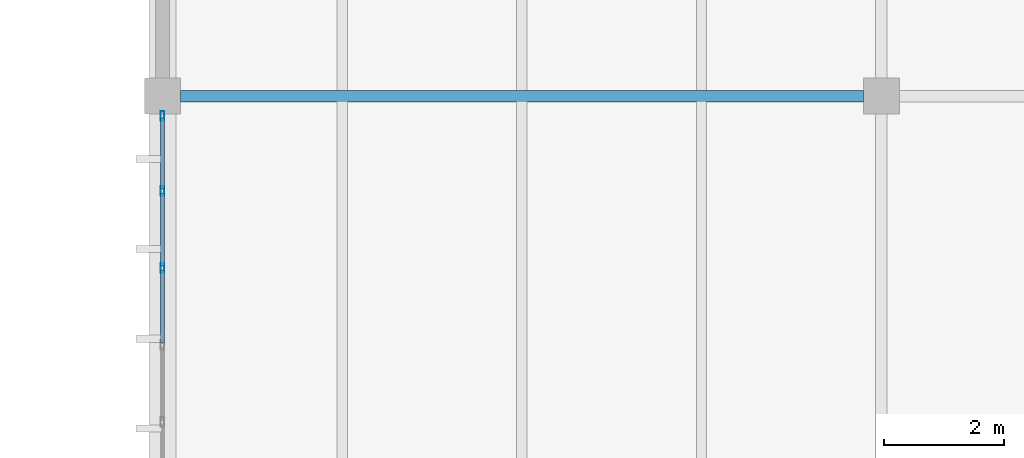
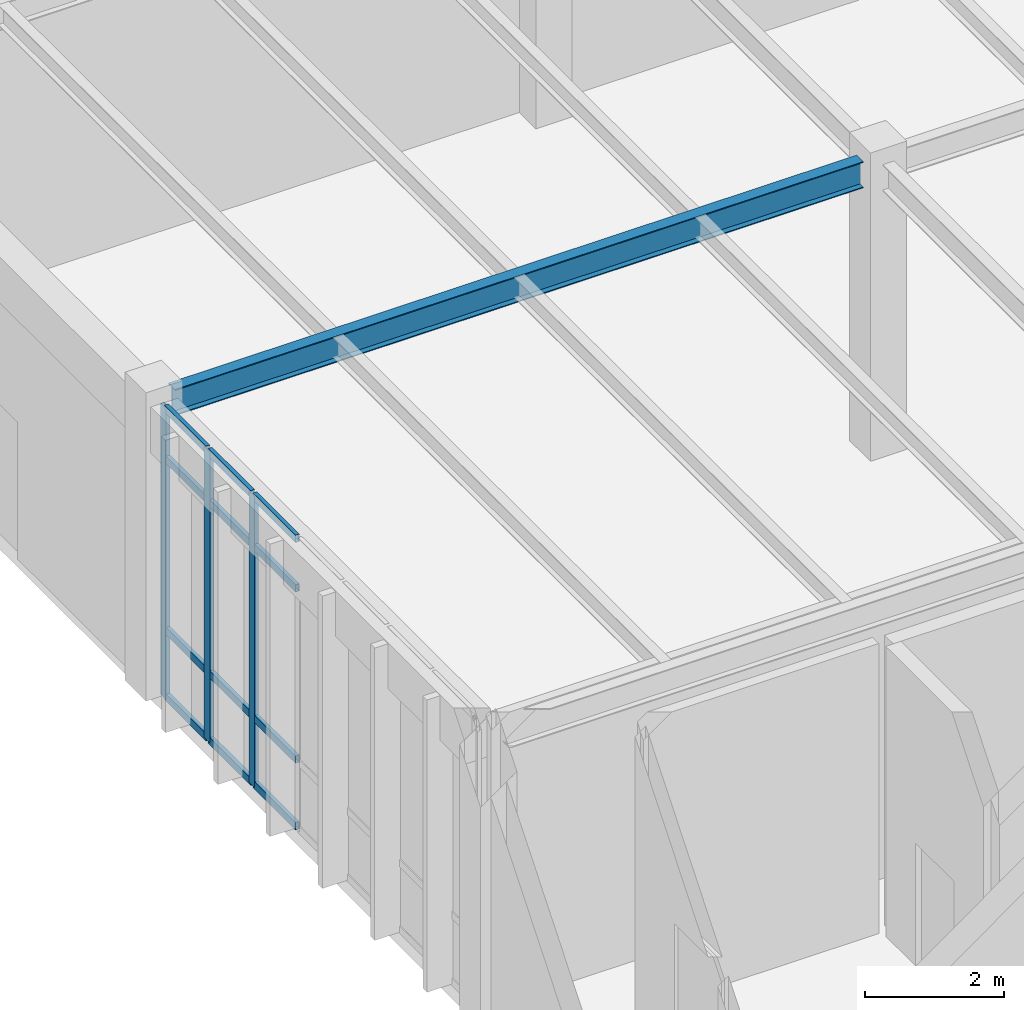
# One storey, part 111 of 188: 15 members, 1 beam, 1 element without a shape of its own.
"""IFC4 building model written with IfcOpenShell, lengths in metres."""

from ifc_helpers import new_model, si_unit, direction, frame, origin, origin_2d, place, context, subcontext, project, spatial, hollow_rectangle, i_section, extrude, material, layer, layer_set, material_profile, profile_set, type_object, element, aggregate, save


model = new_model("IFC4")

# Units and contexts
model_context = context("Model", 3, precision=1e-05, world=origin(), true_north=direction((0.0, 1.0)))
body_context = subcontext(model_context, "Body", "Model", "MODEL_VIEW")
ifc_project = project(units=[si_unit("LENGTHUNIT", "METRE"), si_unit("AREAUNIT", "SQUARE_METRE"), si_unit("VOLUMEUNIT", "CUBIC_METRE"), si_unit("PLANEANGLEUNIT", "RADIAN"), si_unit("MASSUNIT", "GRAM", prefix="KILO")], contexts=[model_context])

# Site, building, storey
site_placement = place(None, origin())
site = spatial("IfcSite", under=ifc_project, at=site_placement, CompositionType="ELEMENT")
building_placement = place(site_placement, origin())
building = spatial("IfcBuilding", under=site, at=building_placement, Name="Pandanus Reach Market Hall", CompositionType="ELEMENT")
storey_placement = place(building_placement, origin())
storey = spatial("IfcBuildingStorey", under=building, at=storey_placement, Name="L00", CompositionType="ELEMENT", Elevation=0.0)

# Beam
ifc_material_1 = material(Name="Steel Grade 350 (350 MPa)", Category="steel")
ifc_material_profile_1 = material_profile(ifc_material_1, i_section(OverallWidth=0.19091796875, OverallDepth=0.4599609375, WebThickness=0.010009765625, FlangeThickness=0.01611328125, at=origin_2d()), Name="460UB82.1", Category="LoadBearing")
ifc_profile_set_1 = profile_set([ifc_material_profile_1], Name="Steel Grade 350 (350 MPa)")
beam_type = type_object("IfcBeamType", Name="BM-UB460H-I", PredefinedType="BEAM", material=ifc_profile_set_1)
beam_placement = place(storey_placement, frame((144.298095703125, 67.199951171875, 4.89453125), z_axis=(1.0, 0.0, 0.0), x_axis=(0.0, 1.0, 0.0)))
element("IfcBeam", 1, at=beam_placement, inside=storey, type_object=beam_type, Name="Framing beam BM-UB460H-I L00.176", PredefinedType="BEAM", context=body_context, shape_type="SweptSolid", body=[
    extrude(i_section(OverallWidth=0.19091796875, OverallDepth=0.4599609375, WebThickness=0.010009765625, FlangeThickness=0.01611328125, at=origin_2d()), origin(), (0.0, 0.0, 1.0), 11.40380859375),
])

# Curtain wall, members
ifc_material_2 = material(Name="Bronze anodised aluminium and low-E glass", Category="aluminium")
ifc_layer = layer(ifc_material_2, 0.159912109375, Name="CW-26")
ifc_layer_set = layer_set([ifc_layer], Name="Bronze anodised aluminium and low-E glass")
curtain_wall_type = type_object("IfcCurtainWallType", Name="CW-26", PredefinedType="NOTDEFINED", material=ifc_layer_set)
curtain_wall_placement = place(storey_placement, origin())
curtain_wall = element("IfcCurtainWall", 2, at=curtain_wall_placement, inside=storey, type_object=curtain_wall_type, Name="Glazed curtain wall CW-26 CW-0079", PredefinedType="NOTDEFINED")
ifc_material_3 = material(Name="Bronze anodised aluminium", Category="aluminium")
ifc_material_profile_2 = material_profile(ifc_material_3, hollow_rectangle(XDim=0.06494140625, YDim=0.159912109375, WallThickness=0.00390625, at=origin_2d()), Name="ALU65x160", Category="LoadBearing")
ifc_profile_set_2 = profile_set([ifc_material_profile_2], Name="Bronze anodised aluminium")
member_type_1 = type_object("IfcMemberType", Name="CW-M1", PredefinedType="MULLION", material=ifc_profile_set_2)
member_1_placement = place(storey_placement, frame((144.0, 64.32861328125, 0.0), z_axis=(0.0, 0.0, 1.0), x_axis=(-1.0, 0.0, 0.0)))
member_1 = element("IfcMember", 3, at=member_1_placement, type_object=member_type_1, Name="CW-26 mullion 6", PredefinedType="MULLION", context=body_context, shape_type="SweptSolid", body=[
    extrude(hollow_rectangle(XDim=0.06494140625, YDim=0.159912109375, WallThickness=0.00390625, at=origin_2d()), origin(), (0.0, 0.0, 1.0), 5.10009765625),
])
member_2_placement = place(storey_placement, frame((144.0, 65.6142578125, 0.0), z_axis=(0.0, 0.0, 1.0), x_axis=(-1.0, 0.0, 0.0)))
member_2 = element("IfcMember", 4, at=member_2_placement, type_object=member_type_1, Name="CW-26 mullion 7", PredefinedType="MULLION", context=body_context, shape_type="SweptSolid", body=[
    extrude(hollow_rectangle(XDim=0.06494140625, YDim=0.159912109375, WallThickness=0.00390625, at=origin_2d()), origin(), (0.0, 0.0, 1.0), 5.10009765625),
])
member_3_placement = place(storey_placement, frame((144.0, 66.867431640625, 0.0), z_axis=(0.0, 0.0, 1.0), x_axis=(-1.0, 0.0, 0.0)))
member_3 = element("IfcMember", 5, at=member_3_placement, type_object=member_type_1, Name="CW-26 mullion 8", PredefinedType="MULLION", context=body_context, shape_type="SweptSolid", body=[
    extrude(hollow_rectangle(XDim=0.06494140625, YDim=0.159912109375, WallThickness=0.00390625, at=origin_2d()), origin(), (0.0, 0.0, 1.0), 5.10009765625),
])
ifc_material_profile_3 = material_profile(ifc_material_3, hollow_rectangle(XDim=0.06494140625, YDim=0.1298828125, WallThickness=0.00390625, at=origin_2d()), Name="ALU65x130", Category="LoadBearing")
ifc_profile_set_3 = profile_set([ifc_material_profile_3], Name="Bronze anodised aluminium")
member_type_2 = type_object("IfcMemberType", Name="CW-T1", PredefinedType="USERDEFINED", material=ifc_profile_set_3)
member_4_placement = place(storey_placement, frame((144.0, 63.075439453125, 0.032470703125), z_axis=(0.0, 1.0, 0.0), x_axis=(-1.0, 0.0, 0.0)))
member_4 = element("IfcMember", 6, at=member_4_placement, type_object=member_type_2, Name="CW-26 transom 5.1", ObjectType="TRANSOM", PredefinedType="USERDEFINED", context=body_context, shape_type="SweptSolid", body=[
    extrude(hollow_rectangle(XDim=0.06494140625, YDim=0.1298828125, WallThickness=0.00390625, at=origin_2d()), origin(), (0.0, 0.0, 1.0), 1.220703125),
])
member_5_placement = place(storey_placement, frame((144.0, 63.075439453125, 1.199951171875), z_axis=(0.0, 1.0, 0.0), x_axis=(-1.0, 0.0, 0.0)))
member_5 = element("IfcMember", 7, at=member_5_placement, type_object=member_type_2, Name="CW-26 transom 5.2", ObjectType="TRANSOM", PredefinedType="USERDEFINED", context=body_context, shape_type="SweptSolid", body=[
    extrude(hollow_rectangle(XDim=0.06494140625, YDim=0.1298828125, WallThickness=0.00390625, at=origin_2d()), origin(), (0.0, 0.0, 1.0), 1.220703125),
])
member_6_placement = place(storey_placement, frame((144.0, 63.075439453125, 4.199951171875), z_axis=(0.0, 1.0, 0.0), x_axis=(-1.0, 0.0, 0.0)))
member_6 = element("IfcMember", 8, at=member_6_placement, type_object=member_type_2, Name="CW-26 transom 5.3", ObjectType="TRANSOM", PredefinedType="USERDEFINED", context=body_context, shape_type="SweptSolid", body=[
    extrude(hollow_rectangle(XDim=0.06494140625, YDim=0.1298828125, WallThickness=0.00390625, at=origin_2d()), origin(), (0.0, 0.0, 1.0), 1.220703125),
])
member_7_placement = place(storey_placement, frame((144.0, 63.075439453125, 5.0673828125), z_axis=(0.0, 1.0, 0.0), x_axis=(-1.0, 0.0, 0.0)))
member_7 = element("IfcMember", 9, at=member_7_placement, type_object=member_type_2, Name="CW-26 transom 5.4", ObjectType="TRANSOM", PredefinedType="USERDEFINED", context=body_context, shape_type="SweptSolid", body=[
    extrude(hollow_rectangle(XDim=0.06494140625, YDim=0.1298828125, WallThickness=0.00390625, at=origin_2d()), origin(), (0.0, 0.0, 1.0), 1.220703125),
])
member_8_placement = place(storey_placement, frame((144.0, 64.361083984375, 0.032470703125), z_axis=(0.0, 1.0, 0.0), x_axis=(-1.0, 0.0, 0.0)))
member_8 = element("IfcMember", 10, at=member_8_placement, type_object=member_type_2, Name="CW-26 transom 6.1", ObjectType="TRANSOM", PredefinedType="USERDEFINED", context=body_context, shape_type="SweptSolid", body=[
    extrude(hollow_rectangle(XDim=0.06494140625, YDim=0.1298828125, WallThickness=0.00390625, at=origin_2d()), origin(), (0.0, 0.0, 1.0), 1.220703125),
])
member_9_placement = place(storey_placement, frame((144.0, 64.361083984375, 1.199951171875), z_axis=(0.0, 1.0, 0.0), x_axis=(-1.0, 0.0, 0.0)))
member_9 = element("IfcMember", 11, at=member_9_placement, type_object=member_type_2, Name="CW-26 transom 6.2", ObjectType="TRANSOM", PredefinedType="USERDEFINED", context=body_context, shape_type="SweptSolid", body=[
    extrude(hollow_rectangle(XDim=0.06494140625, YDim=0.1298828125, WallThickness=0.00390625, at=origin_2d()), origin(), (0.0, 0.0, 1.0), 1.220703125),
])
member_10_placement = place(storey_placement, frame((144.0, 64.361083984375, 4.199951171875), z_axis=(0.0, 1.0, 0.0), x_axis=(-1.0, 0.0, 0.0)))
member_10 = element("IfcMember", 12, at=member_10_placement, type_object=member_type_2, Name="CW-26 transom 6.3", ObjectType="TRANSOM", PredefinedType="USERDEFINED", context=body_context, shape_type="SweptSolid", body=[
    extrude(hollow_rectangle(XDim=0.06494140625, YDim=0.1298828125, WallThickness=0.00390625, at=origin_2d()), origin(), (0.0, 0.0, 1.0), 1.220703125),
])
member_11_placement = place(storey_placement, frame((144.0, 64.361083984375, 5.0673828125), z_axis=(0.0, 1.0, 0.0), x_axis=(-1.0, 0.0, 0.0)))
member_11 = element("IfcMember", 13, at=member_11_placement, type_object=member_type_2, Name="CW-26 transom 6.4", ObjectType="TRANSOM", PredefinedType="USERDEFINED", context=body_context, shape_type="SweptSolid", body=[
    extrude(hollow_rectangle(XDim=0.06494140625, YDim=0.1298828125, WallThickness=0.00390625, at=origin_2d()), origin(), (0.0, 0.0, 1.0), 1.220703125),
])
member_12_placement = place(storey_placement, frame((144.0, 65.646728515625, 0.032470703125), z_axis=(0.0, 1.0, 0.0), x_axis=(-1.0, 0.0, 0.0)))
member_12 = element("IfcMember", 14, at=member_12_placement, type_object=member_type_2, Name="CW-26 transom 7.1", ObjectType="TRANSOM", PredefinedType="USERDEFINED", context=body_context, shape_type="SweptSolid", body=[
    extrude(hollow_rectangle(XDim=0.06494140625, YDim=0.1298828125, WallThickness=0.00390625, at=origin_2d()), origin(), (0.0, 0.0, 1.0), 1.188232421875),
])
member_13_placement = place(storey_placement, frame((144.0, 65.646728515625, 1.199951171875), z_axis=(0.0, 1.0, 0.0), x_axis=(-1.0, 0.0, 0.0)))
member_13 = element("IfcMember", 15, at=member_13_placement, type_object=member_type_2, Name="CW-26 transom 7.2", ObjectType="TRANSOM", PredefinedType="USERDEFINED", context=body_context, shape_type="SweptSolid", body=[
    extrude(hollow_rectangle(XDim=0.06494140625, YDim=0.1298828125, WallThickness=0.00390625, at=origin_2d()), origin(), (0.0, 0.0, 1.0), 1.188232421875),
])
member_14_placement = place(storey_placement, frame((144.0, 65.646728515625, 4.199951171875), z_axis=(0.0, 1.0, 0.0), x_axis=(-1.0, 0.0, 0.0)))
member_14 = element("IfcMember", 16, at=member_14_placement, type_object=member_type_2, Name="CW-26 transom 7.3", ObjectType="TRANSOM", PredefinedType="USERDEFINED", context=body_context, shape_type="SweptSolid", body=[
    extrude(hollow_rectangle(XDim=0.06494140625, YDim=0.1298828125, WallThickness=0.00390625, at=origin_2d()), origin(), (0.0, 0.0, 1.0), 1.188232421875),
])
member_15_placement = place(storey_placement, frame((144.0, 65.646728515625, 5.0673828125), z_axis=(0.0, 1.0, 0.0), x_axis=(-1.0, 0.0, 0.0)))
member_15 = element("IfcMember", 17, at=member_15_placement, type_object=member_type_2, Name="CW-26 transom 7.4", ObjectType="TRANSOM", PredefinedType="USERDEFINED", context=body_context, shape_type="SweptSolid", body=[
    extrude(hollow_rectangle(XDim=0.06494140625, YDim=0.1298828125, WallThickness=0.00390625, at=origin_2d()), origin(), (0.0, 0.0, 1.0), 1.188232421875),
])
aggregate(curtain_wall, [member_1, member_2, member_3, member_4, member_5, member_6, member_7, member_8, member_9, member_10, member_11, member_12, member_13, member_14, member_15])

save(model, "model.ifc")
